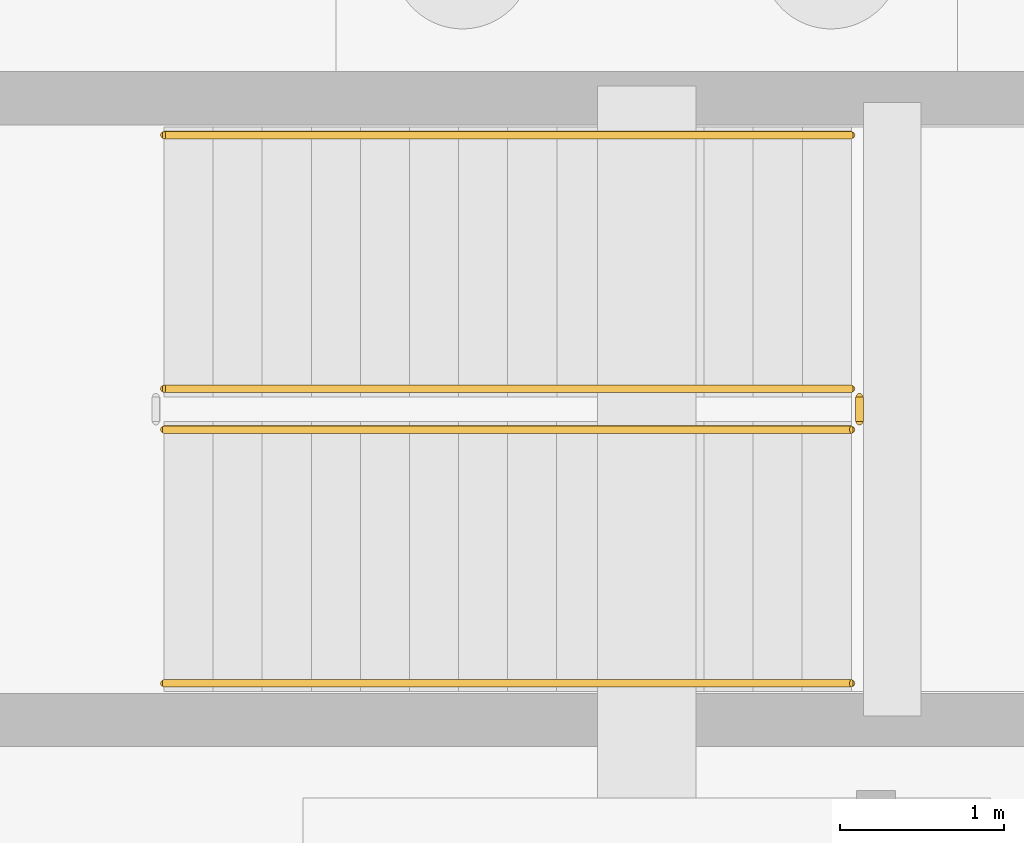
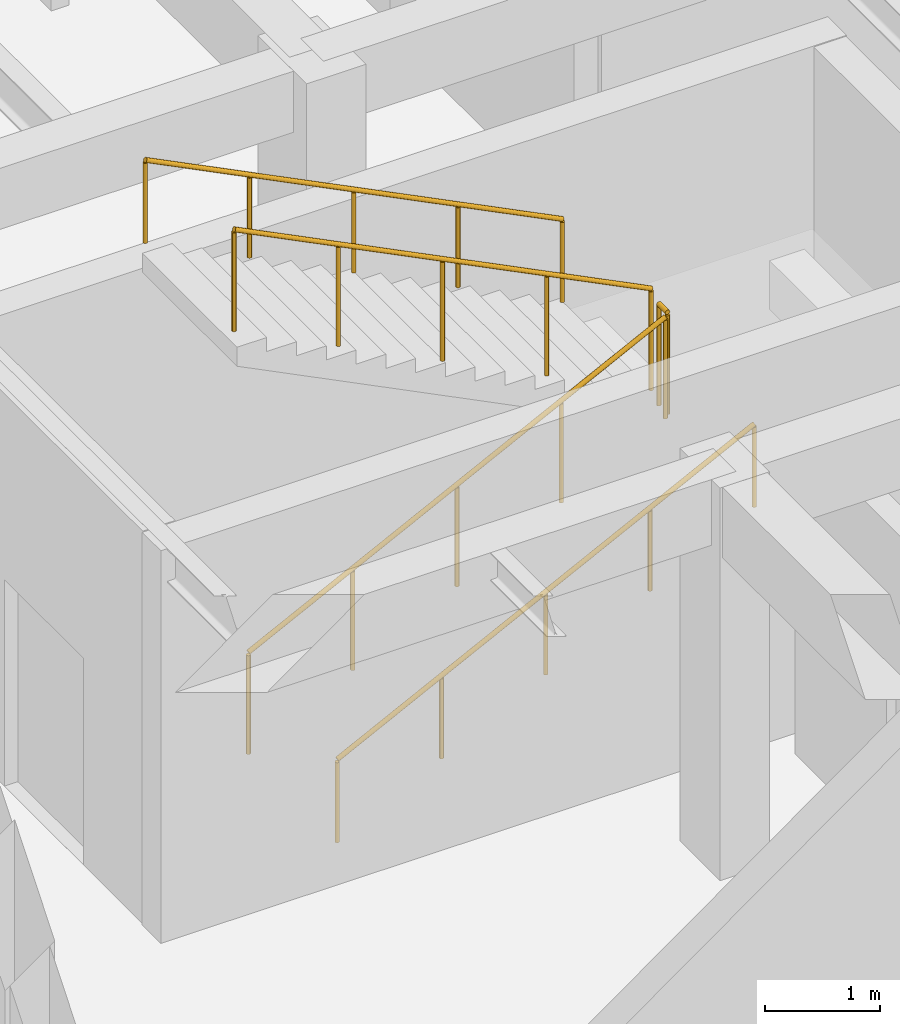
# One storey, part 62 of 63: 5 railings.
"""IFC4 building model written with IfcOpenShell, lengths in metres."""

from ifc_helpers import new_model, si_unit, direction, frame, origin, origin_2d, place, context, subcontext, project, spatial, circle, extrude, material, type_object, element, save


model = new_model("IFC4")

# Units and contexts
model_context = context("Model", 3, precision=1e-05, world=origin(), true_north=direction((0.0, 1.0)))
body_context = subcontext(model_context, "Body", "Model", "MODEL_VIEW")
ifc_project = project(units=[si_unit("LENGTHUNIT", "METRE"), si_unit("AREAUNIT", "SQUARE_METRE"), si_unit("VOLUMEUNIT", "CUBIC_METRE"), si_unit("PLANEANGLEUNIT", "RADIAN"), si_unit("MASSUNIT", "GRAM", prefix="KILO")], contexts=[model_context])

# Site, building, storey
site_placement = place(None, origin())
site = spatial("IfcSite", under=ifc_project, at=site_placement, CompositionType="ELEMENT")
building_placement = place(site_placement, origin())
building = spatial("IfcBuilding", under=site, at=building_placement, Name="Mazaris Harbour Polytechnic", CompositionType="ELEMENT")
storey_placement = place(building_placement, frame((0.0, 0.0, -4.5)))
storey = spatial("IfcBuildingStorey", under=building, at=storey_placement, Name="B1", CompositionType="ELEMENT", Elevation=-4.5)

# Railings
ifc_material_1 = material(Name="Stainless Steel S355", Category="steel")
railing_type_1 = type_object("IfcRailingType", Name="Stair Wall Handrail 900", PredefinedType="HANDRAIL", material=ifc_material_1)
railing_1_placement = place(storey_placement, frame((126.64990234375, 70.050048828125, 0.14990234375)))
element("IfcRailing", 1, at=railing_1_placement, inside=storey, type_object=railing_type_1, Name="B1 ST09 stair handrail 1", PredefinedType="HANDRAIL", context=body_context, shape_type="SweptSolid", body=[
    extrude(circle(Radius=0.02392578125, at=origin_2d()), frame((0.0, 0.0, 0.8759765625), z_axis=(0.894427191, 0.0, 0.4472135955), x_axis=(0.0, 1.0, 0.0)), (0.0, 0.0, 1.0), 4.696044921875),
    extrude(circle(Radius=0.02099609375, at=origin_2d()), origin(), (0.0, 0.0, 1.0), 0.851806640625),
    extrude(circle(Radius=0.02099609375, at=origin_2d()), frame((1.050048828125, 0.0, 0.52490234375)), (0.0, 0.0, 1.0), 0.851806640625),
    extrude(circle(Radius=0.02099609375, at=origin_2d()), frame((2.10009765625, 0.0, 1.050048828125)), (0.0, 0.0, 1.0), 0.851806640625),
    extrude(circle(Radius=0.02099609375, at=origin_2d()), frame((3.150146484375, 0.0, 1.5751953125)), (0.0, 0.0, 1.0), 0.851806640625),
    extrude(circle(Radius=0.02099609375, at=origin_2d()), frame((4.2001953125, 0.0, 2.10009765625)), (0.0, 0.0, 1.0), 0.851806640625),
])
railing_2_placement = place(storey_placement, frame((130.85009765625, 73.39990234375, 2.39990234375)))
element("IfcRailing", 2, at=railing_2_placement, inside=storey, type_object=railing_type_1, Name="B1 ST09 stair handrail 2", PredefinedType="HANDRAIL", context=body_context, shape_type="SweptSolid", body=[
    extrude(circle(Radius=0.02392578125, at=origin_2d()), frame((0.0, 0.0, 0.8759765625), z_axis=(-0.894427191, 0.0, 0.4472135955), x_axis=(0.0, -1.0, 0.0)), (0.0, 0.0, 1.0), 4.696044921875),
    extrude(circle(Radius=0.02099609375, at=origin_2d()), origin(), (0.0, 0.0, 1.0), 0.851806640625),
    extrude(circle(Radius=0.02099609375, at=origin_2d()), frame((-1.050048828125, 0.0, 0.52490234375)), (0.0, 0.0, 1.0), 0.851806640625),
    extrude(circle(Radius=0.02099609375, at=origin_2d()), frame((-2.10009765625, 0.0, 1.050048828125)), (0.0, 0.0, 1.0), 0.851806640625),
    extrude(circle(Radius=0.02099609375, at=origin_2d()), frame((-3.150146484375, 0.0, 1.5751953125)), (0.0, 0.0, 1.0), 0.851806640625),
    extrude(circle(Radius=0.02099609375, at=origin_2d()), frame((-4.2001953125, 0.0, 2.10009765625)), (0.0, 0.0, 1.0), 0.851806640625),
])
ifc_material_2 = material(Name="Steel S355", Category="steel")
railing_type_2 = type_object("IfcRailingType", Name="Stair Well Guardrail 1100", PredefinedType="GUARDRAIL", material=ifc_material_2)
railing_3_placement = place(storey_placement, frame((126.64990234375, 71.60009765625, 0.14990234375)))
element("IfcRailing", 3, at=railing_3_placement, inside=storey, type_object=railing_type_2, Name="B1 ST09 stair guard 1", PredefinedType="GUARDRAIL", context=body_context, shape_type="SweptSolid", body=[
    extrude(circle(Radius=0.02392578125, at=origin_2d()), frame((0.0, 0.0, 1.076171875), z_axis=(0.894427191, 0.0, 0.4472135955), x_axis=(0.0, 1.0, 0.0)), (0.0, 0.0, 1.0), 4.696044921875),
    extrude(circle(Radius=0.02099609375, at=origin_2d()), origin(), (0.0, 0.0, 1.0), 1.052001953125),
    extrude(circle(Radius=0.02099609375, at=origin_2d()), frame((1.050048828125, 0.0, 0.52490234375)), (0.0, 0.0, 1.0), 1.052001953125),
    extrude(circle(Radius=0.02099609375, at=origin_2d()), frame((2.10009765625, 0.0, 1.050048828125)), (0.0, 0.0, 1.0), 1.052001953125),
    extrude(circle(Radius=0.02099609375, at=origin_2d()), frame((3.150146484375, 0.0, 1.5751953125)), (0.0, 0.0, 1.0), 1.052001953125),
    extrude(circle(Radius=0.02099609375, at=origin_2d()), frame((4.2001953125, 0.0, 2.10009765625)), (0.0, 0.0, 1.0), 1.052001953125),
])
railing_4_placement = place(storey_placement, frame((130.89990234375, 71.64990234375, 2.25)))
element("IfcRailing", 4, at=railing_4_placement, inside=storey, type_object=railing_type_2, Name="B1 ST09 stair guard 2", PredefinedType="GUARDRAIL", context=body_context, shape_type="SweptSolid", body=[
    extrude(circle(Radius=0.02392578125, at=origin_2d()), frame((0.0, 0.0, 1.076171875), z_axis=(0.0, 1.0, 0.0), x_axis=(-1.0, 0.0, 0.0)), (0.0, 0.0, 1.0), 0.150146484375),
    extrude(circle(Radius=0.02099609375, at=origin_2d()), origin(), (0.0, 0.0, 1.0), 1.052001953125),
    extrude(circle(Radius=0.02099609375, at=origin_2d()), frame((0.0, 0.150146484375, 0.0)), (0.0, 0.0, 1.0), 1.052001953125),
])
railing_5_placement = place(storey_placement, frame((130.85009765625, 71.85009765625, 2.39990234375)))
element("IfcRailing", 5, at=railing_5_placement, inside=storey, type_object=railing_type_2, Name="B1 ST09 stair guard 3", PredefinedType="GUARDRAIL", context=body_context, shape_type="SweptSolid", body=[
    extrude(circle(Radius=0.02392578125, at=origin_2d()), frame((0.0, 0.0, 1.076171875), z_axis=(-0.894427191, 0.0, 0.4472135955), x_axis=(0.0, -1.0, 0.0)), (0.0, 0.0, 1.0), 4.696044921875),
    extrude(circle(Radius=0.02099609375, at=origin_2d()), origin(), (0.0, 0.0, 1.0), 1.052001953125),
    extrude(circle(Radius=0.02099609375, at=origin_2d()), frame((-1.050048828125, 0.0, 0.52490234375)), (0.0, 0.0, 1.0), 1.052001953125),
    extrude(circle(Radius=0.02099609375, at=origin_2d()), frame((-2.10009765625, 0.0, 1.050048828125)), (0.0, 0.0, 1.0), 1.052001953125),
    extrude(circle(Radius=0.02099609375, at=origin_2d()), frame((-3.150146484375, 0.0, 1.5751953125)), (0.0, 0.0, 1.0), 1.052001953125),
    extrude(circle(Radius=0.02099609375, at=origin_2d()), frame((-4.2001953125, 0.0, 2.10009765625)), (0.0, 0.0, 1.0), 1.052001953125),
])

save(model, "model.ifc")
